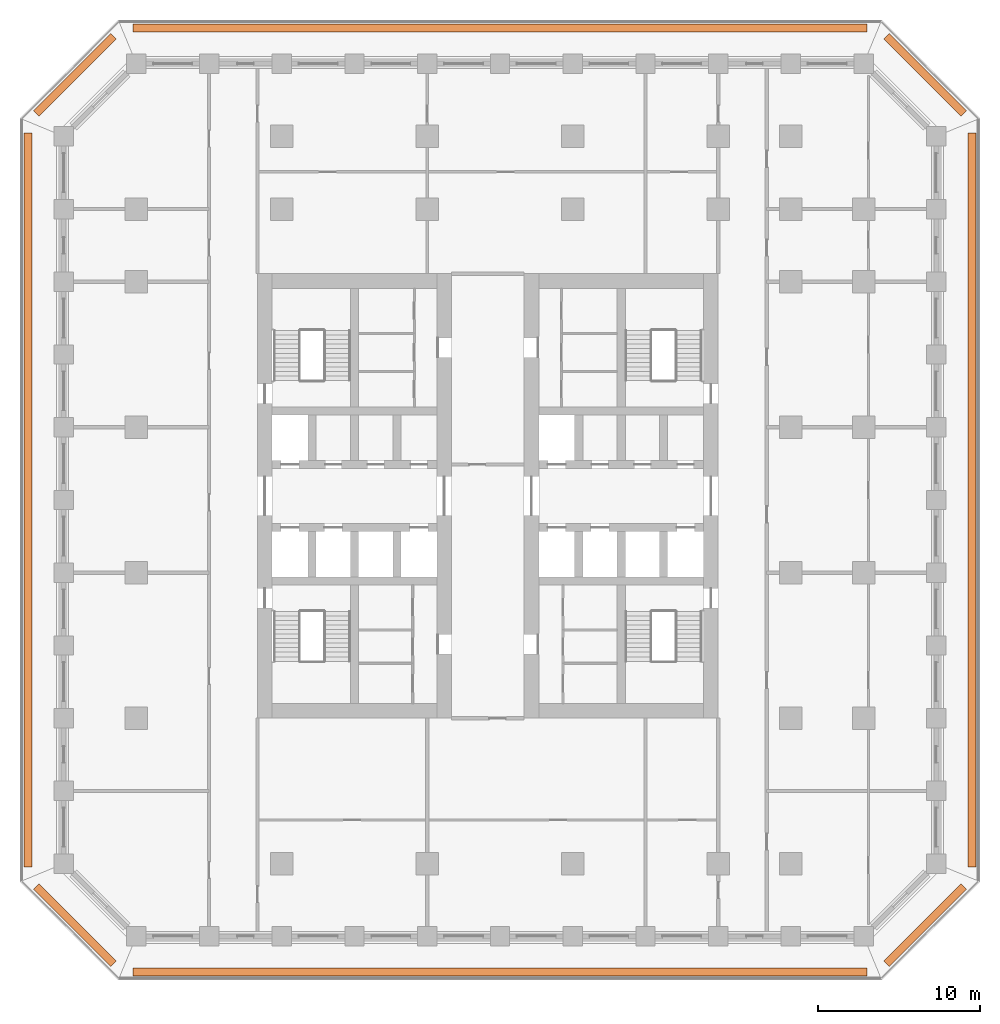
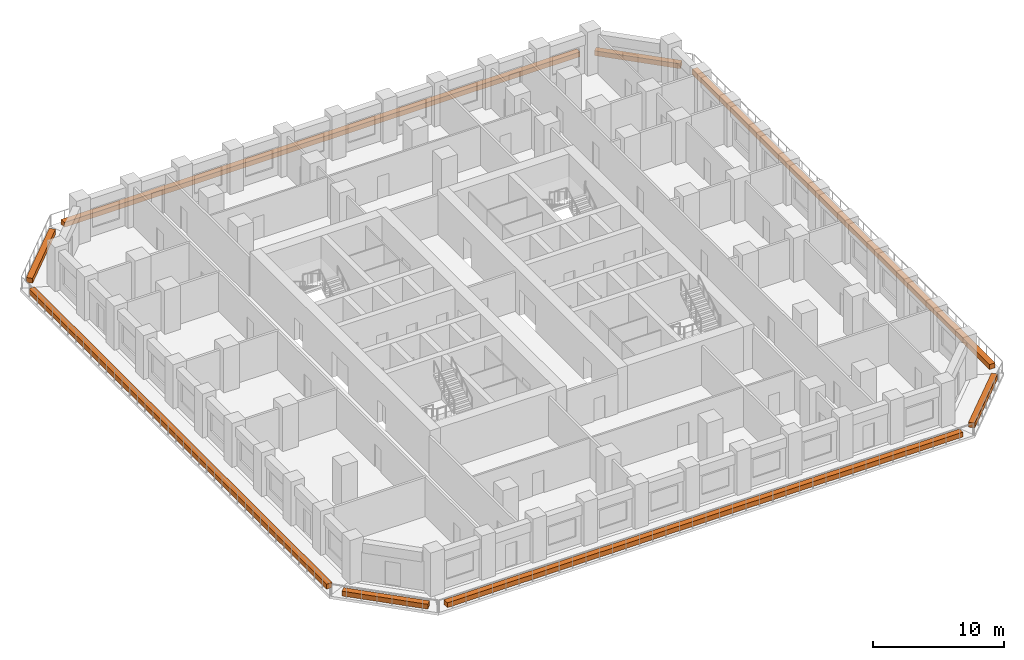
# One storey, part 17 of 17: 8 proxies.
"""IFC4 building model written with IfcOpenShell, lengths in metres."""

from ifc_helpers import new_model, si_unit, direction, frame, origin, origin_2d, place, context, subcontext, project, spatial, rectangle, extrude, material, type_object, element, save


model = new_model("IFC4")

# Units and contexts
model_context = context("Model", 3, precision=1e-05, world=origin(), true_north=direction((0.0, 1.0)))
body_context = subcontext(model_context, "Body", "Model", "MODEL_VIEW")
ifc_project = project(units=[si_unit("LENGTHUNIT", "METRE"), si_unit("AREAUNIT", "SQUARE_METRE"), si_unit("VOLUMEUNIT", "CUBIC_METRE"), si_unit("PLANEANGLEUNIT", "RADIAN"), si_unit("MASSUNIT", "GRAM", prefix="KILO")], contexts=[model_context])

# Site, building, storey
site_placement = place(None, origin())
site = spatial("IfcSite", under=ifc_project, at=site_placement, CompositionType="ELEMENT")
building_placement = place(site_placement, origin())
building = spatial("IfcBuilding", under=site, at=building_placement, Name="Corbel Stack Research Tower", CompositionType="ELEMENT")
storey_placement = place(building_placement, frame((0.0, 0.0, 86.10009765625)))
storey = spatial("IfcBuildingStorey", under=building, at=storey_placement, Name="L19", CompositionType="ELEMENT", Elevation=86.10009765625)

# Proxies
ifc_material = material(Name="Concrete C45/55", Category="concrete")
building_element_proxy_type = type_object("IfcBuildingElementProxyType", Name="Planter box", PredefinedType="USERDEFINED", material=ifc_material)
proxy_1_placement = place(storey_placement, frame((4.5, -24.699951171875, 0.0), z_axis=(0.0, 0.0, 1.0), x_axis=(1.0, 0.0, 0.0)))
element("IfcBuildingElementProxy", 1, at=proxy_1_placement, inside=storey, type_object=building_element_proxy_type, Name="Planter L19 S", ObjectType="PLANTER", PredefinedType="USERDEFINED", context=body_context, shape_type="SweptSolid", body=[
    extrude(rectangle(XDim=45.41064453125, YDim=0.5, at=origin_2d()), origin(), (0.0, 0.0, 1.0), 0.449951171875),
])
proxy_2_placement = place(storey_placement, frame((30.8056640625, -21.8056640625, 0.0), z_axis=(0.0, 0.0, 1.0), x_axis=(0.707106781187, 0.707106781187, 0.0)))
element("IfcBuildingElementProxy", 2, at=proxy_2_placement, inside=storey, type_object=building_element_proxy_type, Name="Planter L19 SE", ObjectType="PLANTER", PredefinedType="USERDEFINED", context=body_context, shape_type="SweptSolid", body=[
    extrude(rectangle(XDim=6.774658203125, YDim=0.5, at=origin_2d()), origin(), (0.0, 0.0, 1.0), 0.449951171875),
])
proxy_3_placement = place(storey_placement, frame((33.699951171875, 4.5, 0.0), z_axis=(0.0, 0.0, 1.0), x_axis=(0.0, 1.0, 0.0)))
element("IfcBuildingElementProxy", 3, at=proxy_3_placement, inside=storey, type_object=building_element_proxy_type, Name="Planter L19 E", ObjectType="PLANTER", PredefinedType="USERDEFINED", context=body_context, shape_type="SweptSolid", body=[
    extrude(rectangle(XDim=45.41064453125, YDim=0.5, at=origin_2d()), origin(), (0.0, 0.0, 1.0), 0.449951171875),
])
proxy_4_placement = place(storey_placement, frame((30.8056640625, 30.8056640625, 0.0), z_axis=(0.0, 0.0, 1.0), x_axis=(-0.707106781187, 0.707106781187, 0.0)))
element("IfcBuildingElementProxy", 4, at=proxy_4_placement, inside=storey, type_object=building_element_proxy_type, Name="Planter L19 NE", ObjectType="PLANTER", PredefinedType="USERDEFINED", context=body_context, shape_type="SweptSolid", body=[
    extrude(rectangle(XDim=6.774658203125, YDim=0.5, at=origin_2d()), origin(), (0.0, 0.0, 1.0), 0.449951171875),
])
proxy_5_placement = place(storey_placement, frame((4.5, 33.699951171875, 0.0), z_axis=(0.0, 0.0, 1.0), x_axis=(-1.0, 0.0, 0.0)))
element("IfcBuildingElementProxy", 5, at=proxy_5_placement, inside=storey, type_object=building_element_proxy_type, Name="Planter L19 N", ObjectType="PLANTER", PredefinedType="USERDEFINED", context=body_context, shape_type="SweptSolid", body=[
    extrude(rectangle(XDim=45.41064453125, YDim=0.5, at=origin_2d()), origin(), (0.0, 0.0, 1.0), 0.449951171875),
])
proxy_6_placement = place(storey_placement, frame((-21.8056640625, 30.8056640625, 0.0), z_axis=(0.0, 0.0, 1.0), x_axis=(-0.707106781187, -0.707106781187, 0.0)))
element("IfcBuildingElementProxy", 6, at=proxy_6_placement, inside=storey, type_object=building_element_proxy_type, Name="Planter L19 NW", ObjectType="PLANTER", PredefinedType="USERDEFINED", context=body_context, shape_type="SweptSolid", body=[
    extrude(rectangle(XDim=6.774658203125, YDim=0.5, at=origin_2d()), origin(), (0.0, 0.0, 1.0), 0.449951171875),
])
proxy_7_placement = place(storey_placement, frame((-24.699951171875, 4.5, 0.0), z_axis=(0.0, 0.0, 1.0), x_axis=(0.0, -1.0, 0.0)))
element("IfcBuildingElementProxy", 7, at=proxy_7_placement, inside=storey, type_object=building_element_proxy_type, Name="Planter L19 W", ObjectType="PLANTER", PredefinedType="USERDEFINED", context=body_context, shape_type="SweptSolid", body=[
    extrude(rectangle(XDim=45.41064453125, YDim=0.5, at=origin_2d()), origin(), (0.0, 0.0, 1.0), 0.449951171875),
])
proxy_8_placement = place(storey_placement, frame((-21.8056640625, -21.8056640625, 0.0), z_axis=(0.0, 0.0, 1.0), x_axis=(0.707106781187, -0.707106781187, 0.0)))
element("IfcBuildingElementProxy", 8, at=proxy_8_placement, inside=storey, type_object=building_element_proxy_type, Name="Planter L19 SW", ObjectType="PLANTER", PredefinedType="USERDEFINED", context=body_context, shape_type="SweptSolid", body=[
    extrude(rectangle(XDim=6.774658203125, YDim=0.5, at=origin_2d()), origin(), (0.0, 0.0, 1.0), 0.449951171875),
])

save(model, "model.ifc")
